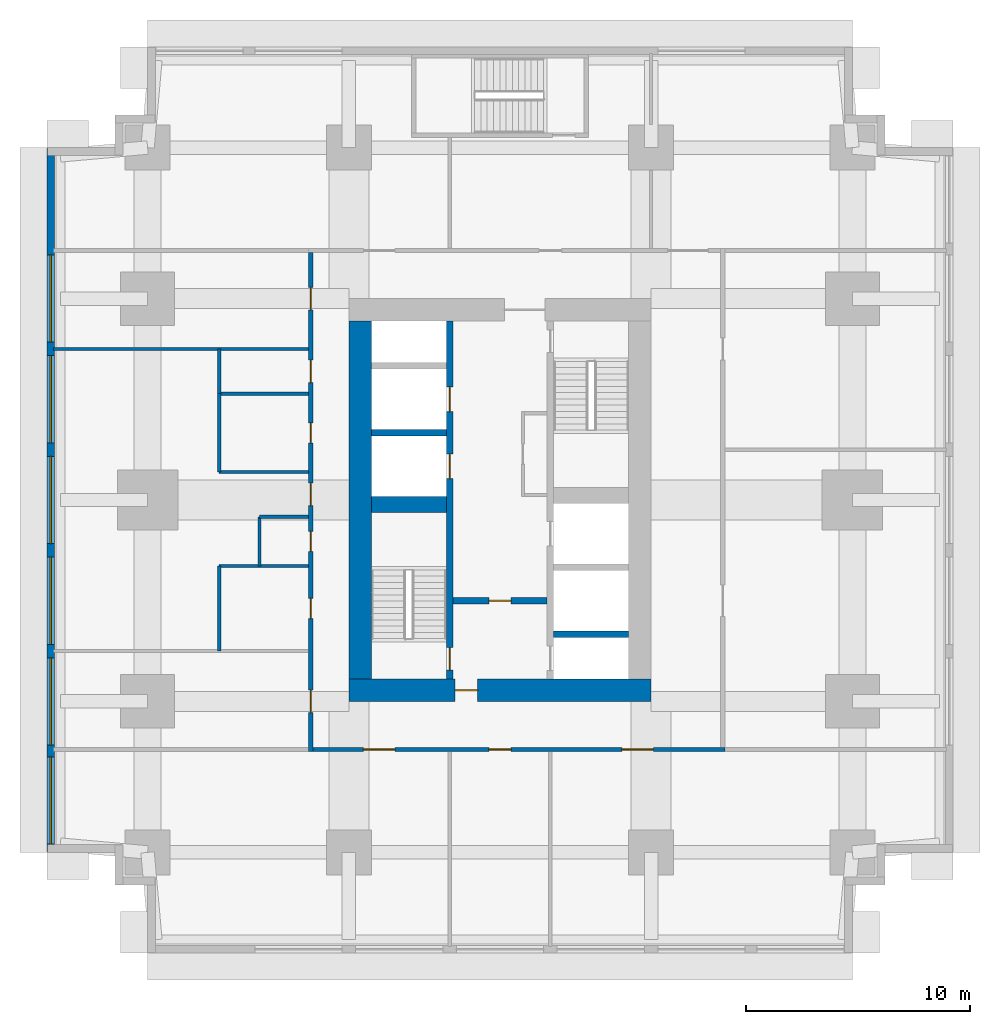
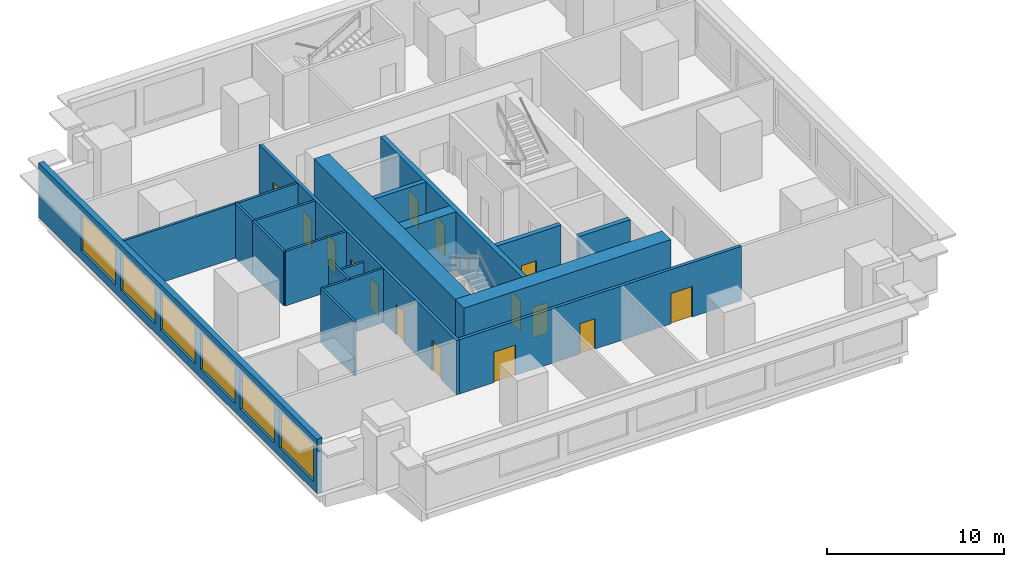
# One storey, part 3 of 11: 19 walls, 15 doors, 6 windows, 21 openings.
"""IFC4 building model written with IfcOpenShell, lengths in metres."""

from ifc_helpers import new_model, si_unit, direction, frame, frame_2d, origin, place, context, subcontext, project, spatial, rectangle, extrude, material, layer, layer_set, type_object, element, fill, save


model = new_model("IFC4")

# Units and contexts
model_context = context("Model", 3, precision=1e-05, world=origin(), true_north=direction((0.0, 1.0)))
body_context = subcontext(model_context, "Body", "Model", "MODEL_VIEW")
ifc_project = project(units=[si_unit("LENGTHUNIT", "METRE"), si_unit("AREAUNIT", "SQUARE_METRE"), si_unit("VOLUMEUNIT", "CUBIC_METRE"), si_unit("PLANEANGLEUNIT", "RADIAN"), si_unit("MASSUNIT", "GRAM", prefix="KILO")], contexts=[model_context])

# Site, building, storey
site_placement = place(None, origin())
site = spatial("IfcSite", under=ifc_project, at=site_placement, CompositionType="ELEMENT")
building_placement = place(site_placement, origin())
building = spatial("IfcBuilding", under=site, at=building_placement, Name="Namib Vertical Campus", CompositionType="ELEMENT")
storey_placement = place(building_placement, frame((0.0, 0.0, 69.0)))
storey = spatial("IfcBuildingStorey", under=building, at=storey_placement, Name="L16", CompositionType="ELEMENT", Elevation=69.0)

# Wall, openings, doors
ifc_material_1 = material(Name="Concrete C60/75", Category="concrete")
ifc_layer_1 = layer(ifc_material_1, 0.300048828125)
ifc_layer_set_1 = layer_set([ifc_layer_1], Name="Concrete C60/75")
wall_type_1 = type_object("IfcWallType", Name="Core inner wall 300", PredefinedType="SHEAR", material=ifc_layer_set_1)
wall_1_placement = place(storey_placement, frame((18.0, 12.25, 0.0), z_axis=(0.0, 0.0, 1.0), x_axis=(0.0, 1.0, 0.0)))
wall_1 = element("IfcWall", 1, at=wall_1_placement, inside=storey, type_object=wall_type_1, Name="Core inner wall A L16 W1", PredefinedType="SHEAR", context=body_context, shape_type="SweptSolid", body=[
    extrude(rectangle(XDim=16.0, YDim=0.300048828125, at=frame_2d((8.0, 0.0))), origin(), (0.0, 0.0, 1.0), 4.0),
])
opening_1_placement = place(wall_1_placement, frame((0.39990234375, 0.0, 0.0)))
opening_1 = element("IfcOpeningElement", 2, at=opening_1_placement, cuts=wall_1, Name="Opening FD1", PredefinedType="OPENING", context=body_context, shape_type="SweptSolid", body=[
    extrude(rectangle(XDim=1.0, YDim=2.10009765625, at=frame_2d((0.5, 1.050048828125))), frame((0.0, 0.159912109375, 0.0), z_axis=(0.0, -1.0, 0.0), x_axis=(1.0, 0.0, 0.0)), (0.0, 0.0, 1.0), 0.320068359375),
])
opening_2_placement = place(wall_1_placement, frame((8.949951171875, 0.0, 0.0)))
opening_2 = element("IfcOpeningElement", 3, at=opening_2_placement, cuts=wall_1, Name="Opening LD1", PredefinedType="OPENING", context=body_context, shape_type="SweptSolid", body=[
    extrude(rectangle(XDim=1.10009765625, YDim=2.10009765625, at=frame_2d((0.550048828125, 1.050048828125))), frame((0.0, 0.159912109375, 0.0), z_axis=(0.0, -1.0, 0.0), x_axis=(1.0, 0.0, 0.0)), (0.0, 0.0, 1.0), 0.320068359375),
])
opening_3_placement = place(wall_1_placement, frame((11.949951171875, 0.0, 0.0)))
opening_3 = element("IfcOpeningElement", 4, at=opening_3_placement, cuts=wall_1, Name="Opening LD1", PredefinedType="OPENING", context=body_context, shape_type="SweptSolid", body=[
    extrude(rectangle(XDim=1.10009765625, YDim=2.10009765625, at=frame_2d((0.550048828125, 1.050048828125))), frame((0.0, 0.159912109375, 0.0), z_axis=(0.0, -1.0, 0.0), x_axis=(1.0, 0.0, 0.0)), (0.0, 0.0, 1.0), 0.320068359375),
])
ifc_material_2 = material(Name="Steel fire door", Category="steel")
door_type_1 = type_object("IfcDoorType", Name="Fire door 1000x2100", OperationType="SINGLE_SWING_RIGHT", PredefinedType="DOOR", material=ifc_material_2)
door_1_placement = place(opening_1_placement, origin())
door_1 = element("IfcDoor", 5, at=door_1_placement, inside=storey, type_object=door_type_1, Name="Stair door FD1 A L16 S1", OperationType="SINGLE_SWING_LEFT", OverallHeight=2.10009765625, OverallWidth=1.0, PredefinedType="DOOR", context=body_context, shape_type="SweptSolid", body=[
    extrude(rectangle(XDim=1.0, YDim=2.10009765625, at=frame_2d((0.5, 1.050048828125))), frame((0.0, 0.02490234375, 0.0), z_axis=(0.0, -1.0, 0.0), x_axis=(1.0, 0.0, 0.0)), (0.0, 0.0, 1.0), 0.050048828125),
])
fill(opening_1, door_1)
ifc_material_3 = material(Name="Stainless steel lift door", Category="steel")
door_type_2 = type_object("IfcDoorType", Name="Lift landing door 1100x2100", OperationType="DOUBLE_DOOR_SLIDING", PredefinedType="DOOR", material=ifc_material_3)
door_2_placement = place(opening_2_placement, origin())
door_2 = element("IfcDoor", 6, at=door_2_placement, inside=storey, type_object=door_type_2, Name="Lift landing door LD1 A-P1 L16", OperationType="DOUBLE_DOOR_SLIDING", OverallHeight=2.10009765625, OverallWidth=1.10009765625, PredefinedType="DOOR", context=body_context, shape_type="SweptSolid", body=[
    extrude(rectangle(XDim=1.10009765625, YDim=2.10009765625, at=frame_2d((0.550048828125, 1.050048828125))), frame((0.0, 0.02490234375, 0.0), z_axis=(0.0, -1.0, 0.0), x_axis=(1.0, 0.0, 0.0)), (0.0, 0.0, 1.0), 0.050048828125),
])
fill(opening_2, door_2)
door_3_placement = place(opening_3_placement, origin())
door_3 = element("IfcDoor", 7, at=door_3_placement, inside=storey, type_object=door_type_2, Name="Lift landing door LD1 A-P2 L16", OperationType="DOUBLE_DOOR_SLIDING", OverallHeight=2.10009765625, OverallWidth=1.10009765625, PredefinedType="DOOR", context=body_context, shape_type="SweptSolid", body=[
    extrude(rectangle(XDim=1.10009765625, YDim=2.10009765625, at=frame_2d((0.550048828125, 1.050048828125))), frame((0.0, 0.02490234375, 0.0), z_axis=(0.0, -1.0, 0.0), x_axis=(1.0, 0.0, 0.0)), (0.0, 0.0, 1.0), 0.050048828125),
])
fill(opening_3, door_3)

# Wall, opening, door
wall_2_placement = place(storey_placement, frame((18.14990234375, 15.75, 0.0), z_axis=(0.0, 0.0, 1.0), x_axis=(1.0, 0.0, 0.0)))
wall_2 = element("IfcWall", 8, at=wall_2_placement, inside=storey, type_object=wall_type_1, Name="Core inner wall A L16 W4", PredefinedType="SHEAR", context=body_context, shape_type="SweptSolid", body=[
    extrude(rectangle(XDim=4.2001953125, YDim=0.300048828125, at=frame_2d((2.10009765625, 0.0))), origin(), (0.0, 0.0, 1.0), 4.0),
])
opening_4_placement = place(wall_2_placement, frame((1.60009765625, 0.0, 0.0)))
opening_4 = element("IfcOpeningElement", 9, at=opening_4_placement, cuts=wall_2, Name="Opening FD5", PredefinedType="OPENING", context=body_context, shape_type="SweptSolid", body=[
    extrude(rectangle(XDim=1.0, YDim=2.10009765625, at=frame_2d((0.5, 1.050048828125))), frame((0.0, 0.159912109375, 0.0), z_axis=(0.0, -1.0, 0.0), x_axis=(1.0, 0.0, 0.0)), (0.0, 0.0, 1.0), 0.320068359375),
])
ifc_material_4 = material(Name="Steel fire door", Category="steel")
door_type_3 = type_object("IfcDoorType", Name="Fire door 1000x2100 120 min", OperationType="SINGLE_SWING_RIGHT", PredefinedType="DOOR", material=ifc_material_4)
door_4_placement = place(opening_4_placement, frame((1.0, 0.0, 0.0), z_axis=(0.0, 0.0, 1.0), x_axis=(-1.0, 0.0, 0.0)))
door_4 = element("IfcDoor", 10, at=door_4_placement, inside=storey, type_object=door_type_3, Name="Lobby door FD5 A L16", OperationType="SINGLE_SWING_RIGHT", OverallHeight=2.10009765625, OverallWidth=1.0, PredefinedType="DOOR", context=body_context, shape_type="SweptSolid", body=[
    extrude(rectangle(XDim=1.0, YDim=2.10009765625, at=frame_2d((0.5, 1.050048828125))), frame((0.0, 0.02490234375, 0.0), z_axis=(0.0, -1.0, 0.0), x_axis=(1.0, 0.0, 0.0)), (0.0, 0.0, 1.0), 0.050048828125),
])
fill(opening_4, door_4)

# Walls
for number, where, z_axis, x_axis, name in (
    (11, (22.64990234375, 14.25, 0.0), (0.0, 0.0, 1.0), (1.0, 0.0, 0.0), "Core inner wall A L16 W5"),
    (12, (14.5, 23.25, 0.0), (0.0, 0.0, 1.0), (1.0, 0.0, 0.0), "Core inner wall A L16 W8"),
):
    element("IfcWall", number, at=place(storey_placement, frame(where, z_axis=z_axis, x_axis=x_axis)), inside=storey, type_object=wall_type_1, Name=name, PredefinedType="SHEAR", context=body_context, shape_type="SweptSolid", body=[
        extrude(rectangle(XDim=3.35009765625, YDim=0.300048828125, at=frame_2d((1.675048828125, 0.0))), origin(), (0.0, 0.0, 1.0), 4.0),
    ])
ifc_material_5 = material(Name="Concrete C60/75", Category="concrete")
ifc_layer_2 = layer(ifc_material_5, 0.699951171875)
ifc_layer_set_2 = layer_set([ifc_layer_2], Name="Concrete C60/75")
wall_type_2 = type_object("IfcWallType", Name="Core shear wall 700", PredefinedType="SHEAR", material=ifc_layer_set_2)
wall_3_placement = place(storey_placement, frame((14.5, 20.050048828125, 0.0), z_axis=(0.0, 0.0, 1.0), x_axis=(1.0, 0.0, 0.0)))
element("IfcWall", 13, at=wall_3_placement, inside=storey, type_object=wall_type_2, Name="Core shear wall A L16 W3", PredefinedType="SHEAR", context=body_context, shape_type="SweptSolid", body=[
    extrude(rectangle(XDim=3.35009765625, YDim=0.699951171875, at=frame_2d((1.675048828125, 0.0))), origin(), (0.0, 0.0, 1.0), 4.0),
])

# Wall, opening, door
ifc_material_6 = material(Name="Concrete C60/75", Category="concrete")
ifc_layer_3 = layer(ifc_material_6, 1.0)
ifc_layer_set_3 = layer_set([ifc_layer_3], Name="Concrete C60/75")
wall_type_3 = type_object("IfcWallType", Name="Core wall 1000", PredefinedType="SHEAR", material=ifc_layer_set_3)
wall_4_placement = place(storey_placement, frame((13.5, 11.75, 0.0), z_axis=(0.0, 0.0, 1.0), x_axis=(1.0, 0.0, 0.0)))
wall_4 = element("IfcWall", 14, at=wall_4_placement, inside=storey, type_object=wall_type_3, Name="Core wall A L16 1", PredefinedType="SHEAR", context=body_context, shape_type="SweptSolid", body=[
    extrude(rectangle(XDim=13.5, YDim=1.0, at=frame_2d((6.75, 0.0))), origin(), (0.0, 0.0, 1.0), 4.0),
])
opening_5_placement = place(wall_4_placement, frame((4.75, 0.0, 0.0)))
opening_5 = element("IfcOpeningElement", 15, at=opening_5_placement, cuts=wall_4, Name="Opening FD5", PredefinedType="OPENING", context=body_context, shape_type="SweptSolid", body=[
    extrude(rectangle(XDim=1.0, YDim=2.10009765625, at=frame_2d((0.5, 1.050048828125))), frame((0.0, 0.510009765625, 0.0), z_axis=(0.0, -1.0, 0.0), x_axis=(1.0, 0.0, 0.0)), (0.0, 0.0, 1.0), 1.02001953125),
])
door_5_placement = place(opening_5_placement, origin())
door_5 = element("IfcDoor", 16, at=door_5_placement, inside=storey, type_object=door_type_3, Name="Firefighting lobby door FD5 A L16", OperationType="SINGLE_SWING_LEFT", OverallHeight=2.10009765625, OverallWidth=1.0, PredefinedType="DOOR", context=body_context, shape_type="SweptSolid", body=[
    extrude(rectangle(XDim=1.0, YDim=2.10009765625, at=frame_2d((0.5, 1.050048828125))), frame((0.0, 0.02490234375, 0.0), z_axis=(0.0, -1.0, 0.0), x_axis=(1.0, 0.0, 0.0)), (0.0, 0.0, 1.0), 0.050048828125),
])
fill(opening_5, door_5)

# Wall
wall_5_placement = place(storey_placement, frame((14.0, 28.25, 0.0), z_axis=(0.0, 0.0, 1.0), x_axis=(0.0, -1.0, 0.0)))
element("IfcWall", 17, at=wall_5_placement, inside=storey, type_object=wall_type_3, Name="Core wall A L16 4", PredefinedType="SHEAR", context=body_context, shape_type="SweptSolid", body=[
    extrude(rectangle(XDim=16.0, YDim=1.0, at=frame_2d((8.0, 0.0))), origin(), (0.0, 0.0, 1.0), 4.0),
])

# Wall, openings, doors
ifc_material_7 = material(Name="Concrete masonry", Category="masonry")
ifc_layer_4 = layer(ifc_material_7, 0.199951171875)
ifc_layer_set_4 = layer_set([ifc_layer_4], Name="Corridor wall 200")
wall_type_4 = type_object("IfcWallType", Name="Corridor wall 200", PredefinedType="SOLIDWALL", material=ifc_layer_set_4)
wall_6_placement = place(storey_placement, frame((11.89990234375, 9.10009765625, 0.0), z_axis=(0.0, 0.0, 1.0), x_axis=(1.0, 0.0, 0.0)))
wall_6 = element("IfcWall", 18, at=wall_6_placement, inside=storey, type_object=wall_type_4, Name="Corridor wall A L16 CS", PredefinedType="SOLIDWALL", context=body_context, shape_type="SweptSolid", body=[
    extrude(rectangle(XDim=18.400146484375, YDim=0.199951171875, at=frame_2d((9.2001953125, 0.0))), origin(), (0.0, 0.0, 1.0), 3.75),
])
opening_6_placement = place(wall_6_placement, frame((2.25, 0.0, 0.0)))
opening_6 = element("IfcOpeningElement", 19, at=opening_6_placement, cuts=wall_6, Name="Opening LB1", PredefinedType="OPENING", context=body_context, shape_type="SweptSolid", body=[
    extrude(rectangle(XDim=1.39990234375, YDim=2.10009765625, at=frame_2d((0.699951171875, 1.050048828125))), frame((0.0, 0.10986328125, 0.0), z_axis=(0.0, -1.0, 0.0), x_axis=(1.0, 0.0, 0.0)), (0.0, 0.0, 1.0), 0.219970703125),
])
opening_7_placement = place(wall_6_placement, frame((7.85009765625, 0.0, 0.0)))
opening_7 = element("IfcOpeningElement", 20, at=opening_7_placement, cuts=wall_6, Name="Opening CD1", PredefinedType="OPENING", context=body_context, shape_type="SweptSolid", body=[
    extrude(rectangle(XDim=1.0, YDim=2.10009765625, at=frame_2d((0.5, 1.050048828125))), frame((0.0, 0.10986328125, 0.0), z_axis=(0.0, -1.0, 0.0), x_axis=(1.0, 0.0, 0.0)), (0.0, 0.0, 1.0), 0.219970703125),
])
opening_8_placement = place(wall_6_placement, frame((13.800048828125, 0.0, 0.0)))
opening_8 = element("IfcOpeningElement", 21, at=opening_8_placement, cuts=wall_6, Name="Opening LB1", PredefinedType="OPENING", context=body_context, shape_type="SweptSolid", body=[
    extrude(rectangle(XDim=1.39990234375, YDim=2.10009765625, at=frame_2d((0.699951171875, 1.050048828125))), frame((0.0, 0.10986328125, 0.0), z_axis=(0.0, -1.0, 0.0), x_axis=(1.0, 0.0, 0.0)), (0.0, 0.0, 1.0), 0.219970703125),
])
ifc_material_8 = material(Name="Timber fire door leaf", Category="wood")
door_type_4 = type_object("IfcDoorType", Name="Corridor door 1000x2100 20 min", OperationType="SINGLE_SWING_LEFT", PredefinedType="DOOR", material=ifc_material_8)
door_6_placement = place(opening_7_placement, frame((1.0, 0.0, 0.0), z_axis=(0.0, 0.0, 1.0), x_axis=(-1.0, 0.0, 0.0)))
door_6 = element("IfcDoor", 22, at=door_6_placement, inside=storey, type_object=door_type_4, Name="Door CD1 A16-02", OperationType="SINGLE_SWING_RIGHT", OverallHeight=2.10009765625, OverallWidth=1.0, PredefinedType="DOOR", context=body_context, shape_type="SweptSolid", body=[
    extrude(rectangle(XDim=1.0, YDim=2.10009765625, at=frame_2d((0.5, 1.050048828125))), frame((0.0, 0.02490234375, 0.0), z_axis=(0.0, -1.0, 0.0), x_axis=(1.0, 0.0, 0.0)), (0.0, 0.0, 1.0), 0.050048828125),
])
fill(opening_7, door_6)
ifc_material_9 = material(Name="Timber fire door leaf", Category="wood")
door_type_5 = type_object("IfcDoorType", Name="Laboratory door 1400x2100 leaf and a half", OperationType="DOUBLE_DOOR_SINGLE_SWING", PredefinedType="DOOR", material=ifc_material_9)
door_7_placement = place(opening_6_placement, frame((1.39990234375, 0.0, 0.0), z_axis=(0.0, 0.0, 1.0), x_axis=(-1.0, 0.0, 0.0)))
door_7 = element("IfcDoor", 23, at=door_7_placement, inside=storey, type_object=door_type_5, Name="Door LB1 A16-01", OperationType="DOUBLE_DOOR_SINGLE_SWING", OverallHeight=2.10009765625, OverallWidth=1.39990234375, PredefinedType="DOOR", context=body_context, shape_type="SweptSolid", body=[
    extrude(rectangle(XDim=1.39990234375, YDim=2.10009765625, at=frame_2d((0.699951171875, 1.050048828125))), frame((0.0, 0.02490234375, 0.0), z_axis=(0.0, -1.0, 0.0), x_axis=(1.0, 0.0, 0.0)), (0.0, 0.0, 1.0), 0.050048828125),
])
fill(opening_6, door_7)
door_8_placement = place(opening_8_placement, frame((1.39990234375, 0.0, 0.0), z_axis=(0.0, 0.0, 1.0), x_axis=(-1.0, 0.0, 0.0)))
door_8 = element("IfcDoor", 24, at=door_8_placement, inside=storey, type_object=door_type_5, Name="Door LB1 A16-03", OperationType="DOUBLE_DOOR_SINGLE_SWING", OverallHeight=2.10009765625, OverallWidth=1.39990234375, PredefinedType="DOOR", context=body_context, shape_type="SweptSolid", body=[
    extrude(rectangle(XDim=1.39990234375, YDim=2.10009765625, at=frame_2d((0.699951171875, 1.050048828125))), frame((0.0, 0.02490234375, 0.0), z_axis=(0.0, -1.0, 0.0), x_axis=(1.0, 0.0, 0.0)), (0.0, 0.0, 1.0), 0.050048828125),
])
fill(opening_8, door_8)

wall_7_placement = place(storey_placement, frame((11.800048828125, 31.300048828125, 0.0), z_axis=(0.0, 0.0, 1.0), x_axis=(0.0, -1.0, 0.0)))
wall_7 = element("IfcWall", 25, at=wall_7_placement, inside=storey, type_object=wall_type_4, Name="Corridor wall A L16 CW", PredefinedType="SOLIDWALL", context=body_context, shape_type="SweptSolid", body=[
    extrude(rectangle(XDim=22.300048828125, YDim=0.199951171875, at=frame_2d((11.14990234375, 0.0))), origin(), (0.0, 0.0, 1.0), 3.75),
])
opening_9_placement = place(wall_7_placement, frame((19.550048828125, 0.0, 0.0)))
opening_9 = element("IfcOpeningElement", 26, at=opening_9_placement, cuts=wall_7, Name="Opening CD1", PredefinedType="OPENING", context=body_context, shape_type="SweptSolid", body=[
    extrude(rectangle(XDim=1.0, YDim=2.10009765625, at=frame_2d((0.5, 1.050048828125))), frame((0.0, 0.10986328125, 0.0), z_axis=(0.0, -1.0, 0.0), x_axis=(1.0, 0.0, 0.0)), (0.0, 0.0, 1.0), 0.219970703125),
])
opening_10_placement = place(wall_7_placement, frame((15.449951171875, 0.0, 0.0)))
opening_10 = element("IfcOpeningElement", 27, at=opening_10_placement, cuts=wall_7, Name="Opening CD3", PredefinedType="OPENING", context=body_context, shape_type="SweptSolid", body=[
    extrude(rectangle(XDim=0.89990234375, YDim=2.10009765625, at=frame_2d((0.449951171875, 1.050048828125))), frame((0.0, 0.10986328125, 0.0), z_axis=(0.0, -1.0, 0.0), x_axis=(1.0, 0.0, 0.0)), (0.0, 0.0, 1.0), 0.219970703125),
])
opening_11_placement = place(wall_7_placement, frame((12.449951171875, 0.0, 0.0)))
opening_11 = element("IfcOpeningElement", 28, at=opening_11_placement, cuts=wall_7, Name="Opening CD3", PredefinedType="OPENING", context=body_context, shape_type="SweptSolid", body=[
    extrude(rectangle(XDim=0.89990234375, YDim=2.10009765625, at=frame_2d((0.449951171875, 1.050048828125))), frame((0.0, 0.10986328125, 0.0), z_axis=(0.0, -1.0, 0.0), x_axis=(1.0, 0.0, 0.0)), (0.0, 0.0, 1.0), 0.219970703125),
])
opening_12_placement = place(wall_7_placement, frame((7.60009765625, 0.0, 0.0)))
opening_12 = element("IfcOpeningElement", 29, at=opening_12_placement, cuts=wall_7, Name="Opening CD3", PredefinedType="OPENING", context=body_context, shape_type="SweptSolid", body=[
    extrude(rectangle(XDim=0.89990234375, YDim=2.10009765625, at=frame_2d((0.449951171875, 1.050048828125))), frame((0.0, 0.10986328125, 0.0), z_axis=(0.0, -1.0, 0.0), x_axis=(1.0, 0.0, 0.0)), (0.0, 0.0, 1.0), 0.219970703125),
])
opening_13_placement = place(wall_7_placement, frame((4.800048828125, 0.0, 0.0)))
opening_13 = element("IfcOpeningElement", 30, at=opening_13_placement, cuts=wall_7, Name="Opening CD1", PredefinedType="OPENING", context=body_context, shape_type="SweptSolid", body=[
    extrude(rectangle(XDim=1.0, YDim=2.10009765625, at=frame_2d((0.5, 1.050048828125))), frame((0.0, 0.10986328125, 0.0), z_axis=(0.0, -1.0, 0.0), x_axis=(1.0, 0.0, 0.0)), (0.0, 0.0, 1.0), 0.219970703125),
])
opening_14_placement = place(wall_7_placement, frame((10.300048828125, 0.0, 0.0)))
opening_14 = element("IfcOpeningElement", 31, at=opening_14_placement, cuts=wall_7, Name="Opening CD1", PredefinedType="OPENING", context=body_context, shape_type="SweptSolid", body=[
    extrude(rectangle(XDim=1.0, YDim=2.10009765625, at=frame_2d((0.5, 1.050048828125))), frame((0.0, 0.10986328125, 0.0), z_axis=(0.0, -1.0, 0.0), x_axis=(1.0, 0.0, 0.0)), (0.0, 0.0, 1.0), 0.219970703125),
])
opening_15_placement = place(wall_7_placement, frame((1.550048828125, 0.0, 0.0)))
opening_15 = element("IfcOpeningElement", 32, at=opening_15_placement, cuts=wall_7, Name="Opening CD1", PredefinedType="OPENING", context=body_context, shape_type="SweptSolid", body=[
    extrude(rectangle(XDim=1.0, YDim=2.10009765625, at=frame_2d((0.5, 1.050048828125))), frame((0.0, 0.10986328125, 0.0), z_axis=(0.0, -1.0, 0.0), x_axis=(1.0, 0.0, 0.0)), (0.0, 0.0, 1.0), 0.219970703125),
])
door_9_placement = place(opening_9_placement, frame((1.0, 0.0, 0.0), z_axis=(0.0, 0.0, 1.0), x_axis=(-1.0, 0.0, 0.0)))
door_9 = element("IfcDoor", 33, at=door_9_placement, inside=storey, type_object=door_type_4, Name="Door CD1 A16-09", OperationType="SINGLE_SWING_RIGHT", OverallHeight=2.10009765625, OverallWidth=1.0, PredefinedType="DOOR", context=body_context, shape_type="SweptSolid", body=[
    extrude(rectangle(XDim=1.0, YDim=2.10009765625, at=frame_2d((0.5, 1.050048828125))), frame((0.0, 0.02490234375, 0.0), z_axis=(0.0, -1.0, 0.0), x_axis=(1.0, 0.0, 0.0)), (0.0, 0.0, 1.0), 0.050048828125),
])
fill(opening_9, door_9)
door_10_placement = place(opening_13_placement, frame((1.0, 0.0, 0.0), z_axis=(0.0, 0.0, 1.0), x_axis=(-1.0, 0.0, 0.0)))
door_10 = element("IfcDoor", 34, at=door_10_placement, inside=storey, type_object=door_type_4, Name="Door CD1 A16-13", OperationType="SINGLE_SWING_RIGHT", OverallHeight=2.10009765625, OverallWidth=1.0, PredefinedType="DOOR", context=body_context, shape_type="SweptSolid", body=[
    extrude(rectangle(XDim=1.0, YDim=2.10009765625, at=frame_2d((0.5, 1.050048828125))), frame((0.0, 0.02490234375, 0.0), z_axis=(0.0, -1.0, 0.0), x_axis=(1.0, 0.0, 0.0)), (0.0, 0.0, 1.0), 0.050048828125),
])
fill(opening_13, door_10)
door_11_placement = place(opening_14_placement, frame((1.0, 0.0, 0.0), z_axis=(0.0, 0.0, 1.0), x_axis=(-1.0, 0.0, 0.0)))
door_11 = element("IfcDoor", 35, at=door_11_placement, inside=storey, type_object=door_type_4, Name="Door CD1 A16-14", OperationType="SINGLE_SWING_RIGHT", OverallHeight=2.10009765625, OverallWidth=1.0, PredefinedType="DOOR", context=body_context, shape_type="SweptSolid", body=[
    extrude(rectangle(XDim=1.0, YDim=2.10009765625, at=frame_2d((0.5, 1.050048828125))), frame((0.0, 0.02490234375, 0.0), z_axis=(0.0, -1.0, 0.0), x_axis=(1.0, 0.0, 0.0)), (0.0, 0.0, 1.0), 0.050048828125),
])
fill(opening_14, door_11)
door_12_placement = place(opening_15_placement, frame((1.0, 0.0, 0.0), z_axis=(0.0, 0.0, 1.0), x_axis=(-1.0, 0.0, 0.0)))
door_12 = element("IfcDoor", 36, at=door_12_placement, inside=storey, type_object=door_type_4, Name="Door CD1 A16-15", OperationType="SINGLE_SWING_RIGHT", OverallHeight=2.10009765625, OverallWidth=1.0, PredefinedType="DOOR", context=body_context, shape_type="SweptSolid", body=[
    extrude(rectangle(XDim=1.0, YDim=2.10009765625, at=frame_2d((0.5, 1.050048828125))), frame((0.0, 0.02490234375, 0.0), z_axis=(0.0, -1.0, 0.0), x_axis=(1.0, 0.0, 0.0)), (0.0, 0.0, 1.0), 0.050048828125),
])
fill(opening_15, door_12)
ifc_material_10 = material(Name="Timber fire door leaf", Category="wood")
door_type_6 = type_object("IfcDoorType", Name="Corridor toilet door 900x2100 20 min", OperationType="SINGLE_SWING_LEFT", PredefinedType="DOOR", material=ifc_material_10)
door_13_placement = place(opening_10_placement, frame((0.89990234375, 0.0, 0.0), z_axis=(0.0, 0.0, 1.0), x_axis=(-1.0, 0.0, 0.0)))
door_13 = element("IfcDoor", 37, at=door_13_placement, inside=storey, type_object=door_type_6, Name="Door CD3 A16-10", OperationType="SINGLE_SWING_RIGHT", OverallHeight=2.10009765625, OverallWidth=0.89990234375, PredefinedType="DOOR", context=body_context, shape_type="SweptSolid", body=[
    extrude(rectangle(XDim=0.89990234375, YDim=2.10009765625, at=frame_2d((0.449951171875, 1.050048828125))), frame((0.0, 0.02490234375, 0.0), z_axis=(0.0, -1.0, 0.0), x_axis=(1.0, 0.0, 0.0)), (0.0, 0.0, 1.0), 0.050048828125),
])
fill(opening_10, door_13)
door_14_placement = place(opening_11_placement, frame((0.89990234375, 0.0, 0.0), z_axis=(0.0, 0.0, 1.0), x_axis=(-1.0, 0.0, 0.0)))
door_14 = element("IfcDoor", 38, at=door_14_placement, inside=storey, type_object=door_type_6, Name="Door CD3 A16-11", OperationType="SINGLE_SWING_RIGHT", OverallHeight=2.10009765625, OverallWidth=0.89990234375, PredefinedType="DOOR", context=body_context, shape_type="SweptSolid", body=[
    extrude(rectangle(XDim=0.89990234375, YDim=2.10009765625, at=frame_2d((0.449951171875, 1.050048828125))), frame((0.0, 0.02490234375, 0.0), z_axis=(0.0, -1.0, 0.0), x_axis=(1.0, 0.0, 0.0)), (0.0, 0.0, 1.0), 0.050048828125),
])
fill(opening_11, door_14)
door_15_placement = place(opening_12_placement, frame((0.89990234375, 0.0, 0.0), z_axis=(0.0, 0.0, 1.0), x_axis=(-1.0, 0.0, 0.0)))
door_15 = element("IfcDoor", 39, at=door_15_placement, inside=storey, type_object=door_type_6, Name="Door CD3 A16-12", OperationType="SINGLE_SWING_RIGHT", OverallHeight=2.10009765625, OverallWidth=0.89990234375, PredefinedType="DOOR", context=body_context, shape_type="SweptSolid", body=[
    extrude(rectangle(XDim=0.89990234375, YDim=2.10009765625, at=frame_2d((0.449951171875, 1.050048828125))), frame((0.0, 0.02490234375, 0.0), z_axis=(0.0, -1.0, 0.0), x_axis=(1.0, 0.0, 0.0)), (0.0, 0.0, 1.0), 0.050048828125),
])
fill(opening_12, door_15)

# Wall, openings, windows
ifc_material_11 = material(Name="Concrete C40/50", Category="concrete")
ifc_layer_5 = layer(ifc_material_11, 0.35009765625)
ifc_layer_set_5 = layer_set([ifc_layer_5], Name="Concrete C40/50")
wall_type_5 = type_object("IfcWallType", Name="External wall 350 bush-hammered concrete", PredefinedType="STANDARD", material=ifc_layer_set_5)
wall_8_placement = place(storey_placement, frame((0.175048828125, 35.97998046875, 0.0), z_axis=(0.0, 0.0, 1.0), x_axis=(0.0, -1.0, 0.0)))
wall_8 = element("IfcWall", 40, at=wall_8_placement, inside=storey, type_object=wall_type_5, Name="External wall L16 F16", PredefinedType="STANDARD", context=body_context, shape_type="SweptSolid", body=[
    extrude(rectangle(XDim=31.4599609375, YDim=0.35009765625, at=frame_2d((15.72998046875, 0.0))), origin(), (0.0, 0.0, 1.0), 3.75),
])
opening_16_placement = place(wall_8_placement, frame((27.2099609375, 0.0, 0.60009765625)))
opening_16 = element("IfcOpeningElement", 41, at=opening_16_placement, cuts=wall_8, Name="Opening W2", PredefinedType="OPENING", context=body_context, shape_type="SweptSolid", body=[
    extrude(rectangle(XDim=3.89990234375, YDim=2.60009765625, at=frame_2d((1.949951171875, 1.300048828125))), frame((0.0, 0.18505859375, 0.0), z_axis=(0.0, -1.0, 0.0), x_axis=(1.0, 0.0, 0.0)), (0.0, 0.0, 1.0), 0.3701171875),
])
opening_17_placement = place(wall_8_placement, frame((22.780029296875, 0.0, 0.60009765625)))
opening_17 = element("IfcOpeningElement", 42, at=opening_17_placement, cuts=wall_8, Name="Opening W2", PredefinedType="OPENING", context=body_context, shape_type="SweptSolid", body=[
    extrude(rectangle(XDim=3.89990234375, YDim=2.60009765625, at=frame_2d((1.949951171875, 1.300048828125))), frame((0.0, 0.18505859375, 0.0), z_axis=(0.0, -1.0, 0.0), x_axis=(1.0, 0.0, 0.0)), (0.0, 0.0, 1.0), 0.3701171875),
])
opening_18_placement = place(wall_8_placement, frame((18.280029296875, 0.0, 0.60009765625)))
opening_18 = element("IfcOpeningElement", 43, at=opening_18_placement, cuts=wall_8, Name="Opening W2", PredefinedType="OPENING", context=body_context, shape_type="SweptSolid", body=[
    extrude(rectangle(XDim=3.89990234375, YDim=2.60009765625, at=frame_2d((1.949951171875, 1.300048828125))), frame((0.0, 0.18505859375, 0.0), z_axis=(0.0, -1.0, 0.0), x_axis=(1.0, 0.0, 0.0)), (0.0, 0.0, 1.0), 0.3701171875),
])
opening_19_placement = place(wall_8_placement, frame((13.780029296875, 0.0, 0.60009765625)))
opening_19 = element("IfcOpeningElement", 44, at=opening_19_placement, cuts=wall_8, Name="Opening W2", PredefinedType="OPENING", context=body_context, shape_type="SweptSolid", body=[
    extrude(rectangle(XDim=3.89990234375, YDim=2.60009765625, at=frame_2d((1.949951171875, 1.300048828125))), frame((0.0, 0.18505859375, 0.0), z_axis=(0.0, -1.0, 0.0), x_axis=(1.0, 0.0, 0.0)), (0.0, 0.0, 1.0), 0.3701171875),
])
opening_20_placement = place(wall_8_placement, frame((9.280029296875, 0.0, 0.60009765625)))
opening_20 = element("IfcOpeningElement", 45, at=opening_20_placement, cuts=wall_8, Name="Opening W2", PredefinedType="OPENING", context=body_context, shape_type="SweptSolid", body=[
    extrude(rectangle(XDim=3.89990234375, YDim=2.60009765625, at=frame_2d((1.949951171875, 1.300048828125))), frame((0.0, 0.18505859375, 0.0), z_axis=(0.0, -1.0, 0.0), x_axis=(1.0, 0.0, 0.0)), (0.0, 0.0, 1.0), 0.3701171875),
])
opening_21_placement = place(wall_8_placement, frame((4.780029296875, 0.0, 0.60009765625)))
opening_21 = element("IfcOpeningElement", 46, at=opening_21_placement, cuts=wall_8, Name="Opening W2", PredefinedType="OPENING", context=body_context, shape_type="SweptSolid", body=[
    extrude(rectangle(XDim=3.89990234375, YDim=2.60009765625, at=frame_2d((1.949951171875, 1.300048828125))), frame((0.0, 0.18505859375, 0.0), z_axis=(0.0, -1.0, 0.0), x_axis=(1.0, 0.0, 0.0)), (0.0, 0.0, 1.0), 0.3701171875),
])
ifc_material_12 = material(Name="Dark tinted glass in black aluminium frame", Category="aluminium")
window_type = type_object("IfcWindowType", Name="Ribbon window 3900x2600", PartitioningType="SINGLE_PANEL", PredefinedType="WINDOW", material=ifc_material_12)
window_1_placement = place(opening_16_placement, origin())
window_1 = element("IfcWindow", 47, at=window_1_placement, inside=storey, type_object=window_type, Name="Window W2 L16 F16-1", OverallHeight=2.60009765625, OverallWidth=3.89990234375, PartitioningType="SINGLE_PANEL", PredefinedType="WINDOW", context=body_context, shape_type="SweptSolid", body=[
    extrude(rectangle(XDim=3.89990234375, YDim=2.60009765625, at=frame_2d((1.949951171875, 1.300048828125))), frame((0.0, 0.030029296875, 0.0), z_axis=(0.0, -1.0, 0.0), x_axis=(1.0, 0.0, 0.0)), (0.0, 0.0, 1.0), 0.06005859375),
])
fill(opening_16, window_1)
window_2_placement = place(opening_17_placement, origin())
window_2 = element("IfcWindow", 48, at=window_2_placement, inside=storey, type_object=window_type, Name="Window W2 L16 F16-2", OverallHeight=2.60009765625, OverallWidth=3.89990234375, PartitioningType="SINGLE_PANEL", PredefinedType="WINDOW", context=body_context, shape_type="SweptSolid", body=[
    extrude(rectangle(XDim=3.89990234375, YDim=2.60009765625, at=frame_2d((1.949951171875, 1.300048828125))), frame((0.0, 0.030029296875, 0.0), z_axis=(0.0, -1.0, 0.0), x_axis=(1.0, 0.0, 0.0)), (0.0, 0.0, 1.0), 0.06005859375),
])
fill(opening_17, window_2)
window_3_placement = place(opening_18_placement, origin())
window_3 = element("IfcWindow", 49, at=window_3_placement, inside=storey, type_object=window_type, Name="Window W2 L16 F16-3", OverallHeight=2.60009765625, OverallWidth=3.89990234375, PartitioningType="SINGLE_PANEL", PredefinedType="WINDOW", context=body_context, shape_type="SweptSolid", body=[
    extrude(rectangle(XDim=3.89990234375, YDim=2.60009765625, at=frame_2d((1.949951171875, 1.300048828125))), frame((0.0, 0.030029296875, 0.0), z_axis=(0.0, -1.0, 0.0), x_axis=(1.0, 0.0, 0.0)), (0.0, 0.0, 1.0), 0.06005859375),
])
fill(opening_18, window_3)
window_4_placement = place(opening_19_placement, origin())
window_4 = element("IfcWindow", 50, at=window_4_placement, inside=storey, type_object=window_type, Name="Window W2 L16 F16-4", OverallHeight=2.60009765625, OverallWidth=3.89990234375, PartitioningType="SINGLE_PANEL", PredefinedType="WINDOW", context=body_context, shape_type="SweptSolid", body=[
    extrude(rectangle(XDim=3.89990234375, YDim=2.60009765625, at=frame_2d((1.949951171875, 1.300048828125))), frame((0.0, 0.030029296875, 0.0), z_axis=(0.0, -1.0, 0.0), x_axis=(1.0, 0.0, 0.0)), (0.0, 0.0, 1.0), 0.06005859375),
])
fill(opening_19, window_4)
window_5_placement = place(opening_20_placement, origin())
window_5 = element("IfcWindow", 51, at=window_5_placement, inside=storey, type_object=window_type, Name="Window W2 L16 F16-5", OverallHeight=2.60009765625, OverallWidth=3.89990234375, PartitioningType="SINGLE_PANEL", PredefinedType="WINDOW", context=body_context, shape_type="SweptSolid", body=[
    extrude(rectangle(XDim=3.89990234375, YDim=2.60009765625, at=frame_2d((1.949951171875, 1.300048828125))), frame((0.0, 0.030029296875, 0.0), z_axis=(0.0, -1.0, 0.0), x_axis=(1.0, 0.0, 0.0)), (0.0, 0.0, 1.0), 0.06005859375),
])
fill(opening_20, window_5)
window_6_placement = place(opening_21_placement, origin())
window_6 = element("IfcWindow", 52, at=window_6_placement, inside=storey, type_object=window_type, Name="Window W2 L16 F16-6", OverallHeight=2.60009765625, OverallWidth=3.89990234375, PartitioningType="SINGLE_PANEL", PredefinedType="WINDOW", context=body_context, shape_type="SweptSolid", body=[
    extrude(rectangle(XDim=3.89990234375, YDim=2.60009765625, at=frame_2d((1.949951171875, 1.300048828125))), frame((0.0, 0.030029296875, 0.0), z_axis=(0.0, -1.0, 0.0), x_axis=(1.0, 0.0, 0.0)), (0.0, 0.0, 1.0), 0.06005859375),
])
fill(opening_21, window_6)

# Walls
ifc_material_13 = material(Name="Gypsum board on steel studs", Category="steel")
ifc_layer_6 = layer(ifc_material_13, 0.14990234375)
ifc_layer_set_6 = layer_set([ifc_layer_6], Name="Gypsum board on steel studs")
wall_type_6 = type_object("IfcWallType", Name="Partition 150", PredefinedType="PARTITIONING", material=ifc_layer_set_6)
wall_9_placement = place(storey_placement, frame((0.300048828125, 27.0, 0.0), z_axis=(0.0, 0.0, 1.0), x_axis=(1.0, 0.0, 0.0)))
element("IfcWall", 53, at=wall_9_placement, inside=storey, type_object=wall_type_6, Name="Partition A L16 PW2", PredefinedType="PARTITIONING", context=body_context, shape_type="SweptSolid", body=[
    extrude(rectangle(XDim=11.39990234375, YDim=0.14990234375, at=frame_2d((5.699951171875, 0.0))), origin(), (0.0, 0.0, 1.0), 3.75),
])
wall_10_placement = place(storey_placement, frame((11.699951171875, 17.300048828125, 0.0), z_axis=(0.0, 0.0, 1.0), x_axis=(-1.0, 0.0, 0.0)))
element("IfcWall", 54, at=wall_10_placement, inside=storey, type_object=wall_type_6, Name="Partition A L16 WR1", PredefinedType="PARTITIONING", context=body_context, shape_type="SweptSolid", body=[
    extrude(rectangle(XDim=4.0, YDim=0.14990234375, at=frame_2d((2.0, 0.0))), origin(), (0.0, 0.0, 1.0), 3.75),
])
wall_11_placement = place(storey_placement, frame((11.699951171875, 19.5, 0.0), z_axis=(0.0, 0.0, 1.0), x_axis=(-1.0, 0.0, 0.0)))
element("IfcWall", 55, at=wall_11_placement, inside=storey, type_object=wall_type_6, Name="Partition A L16 WR2", PredefinedType="PARTITIONING", context=body_context, shape_type="SweptSolid", body=[
    extrude(rectangle(XDim=2.199951171875, YDim=0.14990234375, at=frame_2d((1.10009765625, 0.0))), origin(), (0.0, 0.0, 1.0), 2.85009765625),
])
for number, where, z_axis, x_axis, name in (
    (56, (11.699951171875, 21.5, 0.0), (0.0, 0.0, 1.0), (-1.0, 0.0, 0.0), "Partition A L16 WR3"),
    (57, (11.699951171875, 25.0, 0.0), (0.0, 0.0, 1.0), (-1.0, 0.0, 0.0), "Partition A L16 WR4"),
):
    element("IfcWall", number, at=place(storey_placement, frame(where, z_axis=z_axis, x_axis=x_axis)), inside=storey, type_object=wall_type_6, Name=name, PredefinedType="PARTITIONING", context=body_context, shape_type="SweptSolid", body=[
        extrude(rectangle(XDim=4.0, YDim=0.14990234375, at=frame_2d((2.0, 0.0))), origin(), (0.0, 0.0, 1.0), 3.75),
    ])
wall_12_placement = place(storey_placement, frame((7.699951171875, 13.5, 0.0), z_axis=(0.0, 0.0, 1.0), x_axis=(0.0, 1.0, 0.0)))
element("IfcWall", 58, at=wall_12_placement, inside=storey, type_object=wall_type_6, Name="Partition A L16 WB1", PredefinedType="PARTITIONING", context=body_context, shape_type="SweptSolid", body=[
    extrude(rectangle(XDim=3.800048828125, YDim=0.14990234375, at=frame_2d((1.89990234375, 0.0))), origin(), (0.0, 0.0, 1.0), 3.75),
])
wall_13_placement = place(storey_placement, frame((9.5, 17.300048828125, 0.0), z_axis=(0.0, 0.0, 1.0), x_axis=(0.0, 1.0, 0.0)))
element("IfcWall", 59, at=wall_13_placement, inside=storey, type_object=wall_type_6, Name="Partition A L16 WB2", PredefinedType="PARTITIONING", context=body_context, shape_type="SweptSolid", body=[
    extrude(rectangle(XDim=2.199951171875, YDim=0.14990234375, at=frame_2d((1.10009765625, 0.0))), origin(), (0.0, 0.0, 1.0), 3.75),
])
wall_14_placement = place(storey_placement, frame((7.699951171875, 21.5, 0.0), z_axis=(0.0, 0.0, 1.0), x_axis=(0.0, 1.0, 0.0)))
element("IfcWall", 60, at=wall_14_placement, inside=storey, type_object=wall_type_6, Name="Partition A L16 WB3", PredefinedType="PARTITIONING", context=body_context, shape_type="SweptSolid", body=[
    extrude(rectangle(XDim=3.5, YDim=0.14990234375, at=frame_2d((1.75, 0.0))), origin(), (0.0, 0.0, 1.0), 3.75),
])
wall_15_placement = place(storey_placement, frame((7.699951171875, 25.0, 0.0), z_axis=(0.0, 0.0, 1.0), x_axis=(0.0, 1.0, 0.0)))
element("IfcWall", 61, at=wall_15_placement, inside=storey, type_object=wall_type_6, Name="Partition A L16 WB4", PredefinedType="PARTITIONING", context=body_context, shape_type="SweptSolid", body=[
    extrude(rectangle(XDim=2.0, YDim=0.14990234375, at=frame_2d((1.0, 0.0))), origin(), (0.0, 0.0, 1.0), 3.75),
])

save(model, "model.ifc")
